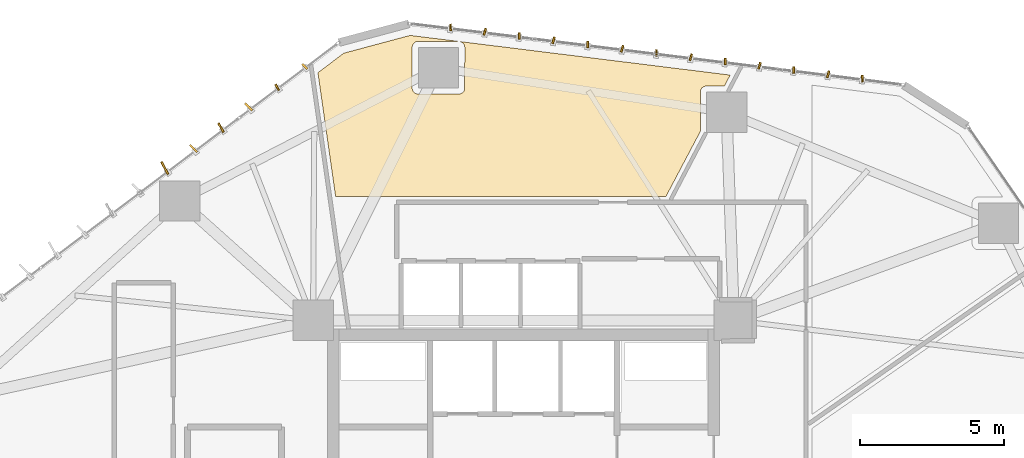
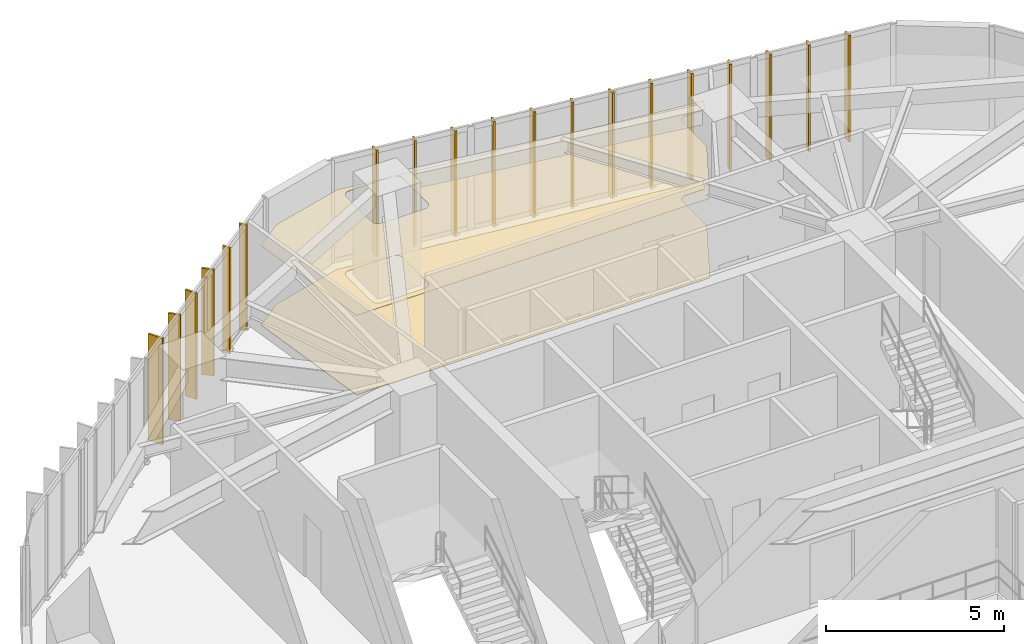
# One storey, part 23 of 23: 19 shading devices, 2 coverings.
"""IFC4 building model written with IfcOpenShell, lengths in metres."""

from ifc_helpers import new_model, si_unit, direction, frame, origin, origin_2d, place, context, subcontext, project, spatial, polyline, rectangle, outline, extrude, source, transform, mapped, material, layer, layer_set, type_object, type_shapes, element, save


model = new_model("IFC4")

# Units and contexts
model_context = context("Model", 3, precision=1e-05, world=origin(), true_north=direction((0.0, 1.0)))
body_context = subcontext(model_context, "Body", "Model", "MODEL_VIEW")
ifc_project = project(units=[si_unit("LENGTHUNIT", "METRE"), si_unit("AREAUNIT", "SQUARE_METRE"), si_unit("VOLUMEUNIT", "CUBIC_METRE"), si_unit("PLANEANGLEUNIT", "RADIAN"), si_unit("MASSUNIT", "GRAM", prefix="KILO")], contexts=[model_context])

# Site, building, storey
site_placement = place(None, origin())
site = spatial("IfcSite", under=ifc_project, at=site_placement, CompositionType="ELEMENT")
building_placement = place(site_placement, origin())
building = spatial("IfcBuilding", under=site, at=building_placement, Name="Talar Marvaseh", CompositionType="ELEMENT")
storey_placement = place(building_placement, frame((0.0, 0.0, 69.60009765625)))
storey = spatial("IfcBuildingStorey", under=building, at=storey_placement, Name="L17", CompositionType="ELEMENT", Elevation=69.60009765625)

# Coverings
ifc_material_1 = material(Name="Mineral Fibre Acoustic Ceiling")
ifc_layer_1 = layer(ifc_material_1, 0.02490234375)
ifc_layer_set_1 = layer_set([ifc_layer_1], Name="Mineral Fibre Acoustic Ceiling")
covering_type_1 = type_object("IfcCoveringType", Name="Perforated Mineral Fibre Acoustic Suspended Ceiling", PredefinedType="CEILING", material=ifc_layer_set_1)
covering_1_placement = place(storey_placement, frame((0.0, 0.0, 2.719970703125)))
element("IfcCovering", 1, at=covering_1_placement, inside=storey, type_object=covering_type_1, Name="L17 Main Reading Room Acoustic Ceiling", PredefinedType="CEILING", context=body_context, shape_type="SweptSolid", body=[
    extrude(outline(polyline([(19.76318359375, 46.172119140625), (22.065185546875, 46.788818359375), (23.734619140625, 46.58203125), (22.335693359375, 46.57763671875), (22.316162109375, 46.57666015625), (22.296875, 46.573486328125), (22.27783203125, 46.56884765625), (22.259521484375, 46.562255859375), (22.24169921875, 46.5537109375), (22.22509765625, 46.543701171875), (22.209228515625, 46.531982421875), (22.19482421875, 46.518798828125), (22.181640625, 46.50439453125), (22.169921875, 46.488525390625), (22.159912109375, 46.4716796875), (22.151611328125, 46.4541015625), (22.14501953125, 46.435546875), (22.14013671875, 46.41650390625), (22.137451171875, 46.397216796875), (22.136474609375, 46.377685546875), (22.136474609375, 44.956298828125), (22.137451171875, 44.936767578125), (22.14013671875, 44.91748046875), (22.14501953125, 44.898193359375), (22.151611328125, 44.8798828125), (22.159912109375, 44.862060546875), (22.170166015625, 44.84521484375), (22.181884765625, 44.82958984375), (22.195068359375, 44.81494140625), (22.20947265625, 44.8017578125), (22.225341796875, 44.7900390625), (22.2421875, 44.780029296875), (22.260009765625, 44.771484375), (22.2783203125, 44.764892578125), (22.29736328125, 44.76025390625), (22.31689453125, 44.75732421875), (22.33642578125, 44.75634765625), (23.757568359375, 44.75634765625), (23.777099609375, 44.75732421875), (23.79638671875, 44.76025390625), (23.8154296875, 44.764892578125), (23.833984375, 44.771484375), (23.851806640625, 44.77978515625), (23.868408203125, 44.7900390625), (23.88427734375, 44.801513671875), (23.898681640625, 44.814697265625), (23.912109375, 44.829345703125), (23.923583984375, 44.844970703125), (23.933837890625, 44.86181640625), (23.942138671875, 44.87939453125), (23.94873046875, 44.89794921875), (23.95361328125, 44.9169921875), (23.95654296875, 44.936279296875), (23.95751953125, 44.955810546875), (23.9619140625, 46.367919921875), (23.961181640625, 46.386474609375), (23.95849609375, 46.40478515625), (23.954345703125, 46.423095703125), (23.948486328125, 46.440673828125), (23.94091796875, 46.457763671875), (23.931884765625, 46.47412109375), (23.92138671875, 46.4892578125), (23.909423828125, 46.503662109375), (23.896240234375, 46.5166015625), (23.88134765625, 46.5302734375), (23.866943359375, 46.5419921875), (23.851806640625, 46.552490234375), (23.835693359375, 46.561279296875), (23.818603515625, 46.568603515625), (23.80517578125, 46.5732421875), (33.1689453125, 45.412109375), (32.968505859375, 45.032958984375), (32.345947265625, 45.032958984375), (32.324462890625, 45.03173828125), (32.30322265625, 45.0283203125), (32.282470703125, 45.022705078125), (32.262451171875, 45.0146484375), (32.243408203125, 45.004638671875), (32.22998046875, 44.99658203125), (32.214599609375, 44.986328125), (32.199951171875, 44.974609375), (32.186279296875, 44.96142578125), (32.17431640625, 44.947021484375), (32.16357421875, 44.931640625), (32.154296875, 44.915283203125), (32.146484375, 44.898193359375), (32.140625, 44.88037109375), (32.13623046875, 44.8623046875), (32.1337890625, 44.843505859375), (32.1328125, 44.82470703125), (32.134765625, 43.45751953125), (30.940185546875, 41.199951171875), (21.60009765625, 41.199951171875), (19.478759765625, 41.199951171875), (18.866455078125, 45.49462890625), (19.76318359375, 46.172119140625)])), origin(), (0.0, 0.0, 1.0), 0.02490234375),
])
ifc_material_2 = material(Name="Porcelain Stoneware Tile", Category="masonry")
ifc_layer_2 = layer(ifc_material_2, 0.02001953125)
ifc_layer_set_2 = layer_set([ifc_layer_2], Name="Porcelain Stoneware Tile")
covering_type_2 = type_object("IfcCoveringType", Name="Polished Porcelain Stoneware Gallery Flooring", PredefinedType="FLOORING", material=ifc_layer_set_2)
covering_2_placement = place(storey_placement, origin())
element("IfcCovering", 2, at=covering_2_placement, inside=storey, type_object=covering_type_2, Name="L17 Main Reading Room Flooring", PredefinedType="FLOORING", context=body_context, shape_type="SweptSolid", body=[
    extrude(outline(polyline([(19.76318359375, 46.172119140625), (22.065185546875, 46.788818359375), (23.734619140625, 46.58203125), (22.335693359375, 46.57763671875), (22.316162109375, 46.57666015625), (22.296875, 46.573486328125), (22.27783203125, 46.56884765625), (22.259521484375, 46.562255859375), (22.24169921875, 46.5537109375), (22.22509765625, 46.543701171875), (22.209228515625, 46.531982421875), (22.19482421875, 46.518798828125), (22.181640625, 46.50439453125), (22.169921875, 46.488525390625), (22.159912109375, 46.4716796875), (22.151611328125, 46.4541015625), (22.14501953125, 46.435546875), (22.14013671875, 46.41650390625), (22.137451171875, 46.397216796875), (22.136474609375, 46.377685546875), (22.136474609375, 44.956298828125), (22.137451171875, 44.936767578125), (22.14013671875, 44.91748046875), (22.14501953125, 44.898193359375), (22.151611328125, 44.8798828125), (22.159912109375, 44.862060546875), (22.170166015625, 44.84521484375), (22.181884765625, 44.82958984375), (22.195068359375, 44.81494140625), (22.20947265625, 44.8017578125), (22.225341796875, 44.7900390625), (22.2421875, 44.780029296875), (22.260009765625, 44.771484375), (22.2783203125, 44.764892578125), (22.29736328125, 44.76025390625), (22.31689453125, 44.75732421875), (22.33642578125, 44.75634765625), (23.757568359375, 44.75634765625), (23.777099609375, 44.75732421875), (23.79638671875, 44.76025390625), (23.8154296875, 44.764892578125), (23.833984375, 44.771484375), (23.851806640625, 44.77978515625), (23.868408203125, 44.7900390625), (23.88427734375, 44.801513671875), (23.898681640625, 44.814697265625), (23.912109375, 44.829345703125), (23.923583984375, 44.844970703125), (23.933837890625, 44.86181640625), (23.942138671875, 44.87939453125), (23.94873046875, 44.89794921875), (23.95361328125, 44.9169921875), (23.95654296875, 44.936279296875), (23.95751953125, 44.955810546875), (23.9619140625, 46.367919921875), (23.961181640625, 46.386474609375), (23.95849609375, 46.40478515625), (23.954345703125, 46.423095703125), (23.948486328125, 46.440673828125), (23.94091796875, 46.457763671875), (23.931884765625, 46.47412109375), (23.92138671875, 46.4892578125), (23.909423828125, 46.503662109375), (23.896240234375, 46.5166015625), (23.88134765625, 46.5302734375), (23.866943359375, 46.5419921875), (23.851806640625, 46.552490234375), (23.835693359375, 46.561279296875), (23.818603515625, 46.568603515625), (23.80517578125, 46.5732421875), (33.1689453125, 45.412109375), (32.968505859375, 45.032958984375), (32.345947265625, 45.032958984375), (32.324462890625, 45.03173828125), (32.30322265625, 45.0283203125), (32.282470703125, 45.022705078125), (32.262451171875, 45.0146484375), (32.243408203125, 45.004638671875), (32.22998046875, 44.99658203125), (32.214599609375, 44.986328125), (32.199951171875, 44.974609375), (32.186279296875, 44.96142578125), (32.17431640625, 44.947021484375), (32.16357421875, 44.931640625), (32.154296875, 44.915283203125), (32.146484375, 44.898193359375), (32.140625, 44.88037109375), (32.13623046875, 44.8623046875), (32.1337890625, 44.843505859375), (32.1328125, 44.82470703125), (32.134765625, 43.45751953125), (30.940185546875, 41.199951171875), (21.60009765625, 41.199951171875), (19.478759765625, 41.199951171875), (18.866455078125, 45.49462890625), (19.76318359375, 46.172119140625)])), origin(), (0.0, 0.0, 1.0), 0.02001953125),
])

# Shading devices
ifc_material_3 = material(Name="Anodised Champagne Bronze Aluminium", Category="aluminium")
ifc_layer_3 = layer(ifc_material_3, 0.06494140625)
ifc_layer_set_3 = layer_set([ifc_layer_3], Name="Anodised Champagne Bronze Aluminium")
shading_device_type_1 = type_object("IfcShadingDeviceType", Name="Sawtooth Champagne Bronze Vertical Fin 240", PredefinedType="USERDEFINED", material=ifc_layer_set_3)
shared_shape_1 = source(origin(), body_context, "Body", "SweptSolid", [
    extrude(rectangle(XDim=0.239990234375, YDim=0.06494140625, at=origin_2d()), origin(), (0.0, 0.0, 1.0), 3.639892578125),
])
type_shapes(shading_device_type_1, [shared_shape_1])
for number, where, z_axis, x_axis, name in (
    (3, (17.4541015625, 44.985595703125, -0.1201171875), (0.0, 0.0, 1.0), (-0.485877807712, 0.874026747859, 0.0), "L17 Sawtooth Vertical Solar Fin"),
    (4, (18.41162109375, 45.708984375, -0.1201171875), (0.0, 0.0, 1.0), (-0.707970147154, 0.706242359774, 0.0), "L17 Sawtooth Vertical Solar Fin"),
    (5, (23.46728515625, 47.0634765625, -0.1201171875), (0.0, 0.0, 1.0), (-0.016230849315, 0.999868271089, 0.0), "L17 Sawtooth Vertical Solar Fin"),
    (6, (24.658203125, 46.915771484375, -0.1201171875), (0.0, 0.0, 1.0), (0.259998952669, 0.96560889837, 0.0), "L17 Sawtooth Vertical Solar Fin"),
    (7, (25.848876953125, 46.768310546875, -0.1201171875), (0.0, 0.0, 1.0), (-0.016230849315, 0.999868271089, 0.0), "L17 Sawtooth Vertical Solar Fin"),
    (8, (27.039794921875, 46.62060546875, -0.1201171875), (0.0, 0.0, 1.0), (0.259998952669, 0.96560889837, 0.0), "L17 Sawtooth Vertical Solar Fin"),
    (9, (28.230712890625, 46.472900390625, -0.1201171875), (0.0, 0.0, 1.0), (-0.016230849315, 0.999868271089, 0.0), "L17 Sawtooth Vertical Solar Fin"),
    (10, (29.421630859375, 46.3251953125, -0.1201171875), (0.0, 0.0, 1.0), (0.259998952669, 0.96560889837, 0.0), "L17 Sawtooth Vertical Solar Fin"),
    (11, (30.612548828125, 46.177490234375, -0.1201171875), (0.0, 0.0, 1.0), (-0.016230849315, 0.999868271089, 0.0), "L17 Sawtooth Vertical Solar Fin"),
    (12, (31.803466796875, 46.02978515625, -0.1201171875), (0.0, 0.0, 1.0), (0.259998952669, 0.96560889837, 0.0), "L17 Sawtooth Vertical Solar Fin"),
    (13, (32.994140625, 45.882080078125, -0.1201171875), (0.0, 0.0, 1.0), (-0.016230849315, 0.999868271089, 0.0), "L17 Sawtooth Vertical Solar Fin"),
    (14, (34.18505859375, 45.734619140625, -0.1201171875), (0.0, 0.0, 1.0), (0.259998952669, 0.96560889837, 0.0), "L17 Sawtooth Vertical Solar Fin"),
    (15, (35.3759765625, 45.5869140625, -0.1201171875), (0.0, 0.0, 1.0), (-0.016230849315, 0.999868271089, 0.0), "L17 Sawtooth Vertical Solar Fin"),
    (16, (36.56689453125, 45.439208984375, -0.1201171875), (0.0, 0.0, 1.0), (0.259998952669, 0.96560889837, 0.0), "L17 Sawtooth Vertical Solar Fin"),
    (17, (37.7578125, 45.29150390625, -0.1201171875), (0.0, 0.0, 1.0), (-0.016230849315, 0.999868271089, 0.0), "L17 Sawtooth Vertical Solar Fin"),
):
    element("IfcShadingDevice", number, at=place(storey_placement, frame(where, z_axis=z_axis, x_axis=x_axis)), inside=storey, type_object=shading_device_type_1, Name=name, ObjectType="FIN", PredefinedType="USERDEFINED", context=body_context, shape_type="MappedRepresentation", body=[
        mapped(shared_shape_1, transform((0.0, 0.0, 0.0), x_axis=(1.0, 0.0, 0.0), y_axis=(0.0, 1.0, 0.0), z_axis=(0.0, 0.0, 1.0), scale=1.0)),
    ])
ifc_layer_4 = layer(ifc_material_3, 0.06494140625)
ifc_layer_set_4 = layer_set([ifc_layer_4], Name="Anodised Champagne Bronze Aluminium")
shading_device_type_2 = type_object("IfcShadingDeviceType", Name="Sawtooth Champagne Bronze Vertical Fin 360", PredefinedType="USERDEFINED", material=ifc_layer_set_4)
shared_shape_2 = source(origin(), body_context, "Body", "SweptSolid", [
    extrude(rectangle(XDim=0.360107421875, YDim=0.06494140625, at=origin_2d()), origin(), (0.0, 0.0, 1.0), 3.639892578125),
])
type_shapes(shading_device_type_2, [shared_shape_2])
for number, where, z_axis, x_axis, name in (
    (18, (14.545654296875, 42.863525390625, -0.1201171875), (0.0, 0.0, 1.0), (-0.707970147154, 0.706242359774, 0.0), "L17 Sawtooth Vertical Solar Fin"),
    (19, (15.503173828125, 43.5869140625, -0.1201171875), (0.0, 0.0, 1.0), (-0.485877807712, 0.874026747859, 0.0), "L17 Sawtooth Vertical Solar Fin"),
    (20, (16.460693359375, 44.31005859375, -0.1201171875), (0.0, 0.0, 1.0), (-0.707970147154, 0.706242359774, 0.0), "L17 Sawtooth Vertical Solar Fin"),
):
    element("IfcShadingDevice", number, at=place(storey_placement, frame(where, z_axis=z_axis, x_axis=x_axis)), inside=storey, type_object=shading_device_type_2, Name=name, ObjectType="FIN", PredefinedType="USERDEFINED", context=body_context, shape_type="MappedRepresentation", body=[
        mapped(shared_shape_2, transform((0.0, 0.0, 0.0), x_axis=(1.0, 0.0, 0.0), y_axis=(0.0, 1.0, 0.0), z_axis=(0.0, 0.0, 1.0), scale=1.0)),
    ])
ifc_layer_5 = layer(ifc_material_3, 0.06494140625)
ifc_layer_set_5 = layer_set([ifc_layer_5], Name="Anodised Champagne Bronze Aluminium")
shading_device_type_3 = type_object("IfcShadingDeviceType", Name="Sawtooth Champagne Bronze Vertical Fin 480", PredefinedType="USERDEFINED", material=ifc_layer_set_5)
shared_shape_3 = source(origin(), body_context, "Body", "SweptSolid", [
    extrude(rectangle(XDim=0.47998046875, YDim=0.06494140625, at=origin_2d()), origin(), (0.0, 0.0, 1.0), 3.639892578125),
])
type_shapes(shading_device_type_3, [shared_shape_3])
shading_device_placement = place(storey_placement, frame((13.552001953125, 42.18798828125, -0.1201171875), z_axis=(0.0, 0.0, 1.0), x_axis=(-0.485877807712, 0.874026747859, 0.0)))
element("IfcShadingDevice", 21, at=shading_device_placement, inside=storey, type_object=shading_device_type_3, Name="L17 Sawtooth Vertical Solar Fin", ObjectType="FIN", PredefinedType="USERDEFINED", context=body_context, shape_type="MappedRepresentation", body=[
    mapped(shared_shape_3, transform((0.0, 0.0, 0.0), x_axis=(1.0, 0.0, 0.0), y_axis=(0.0, 1.0, 0.0), z_axis=(0.0, 0.0, 1.0), scale=1.0)),
])

save(model, "model.ifc")
